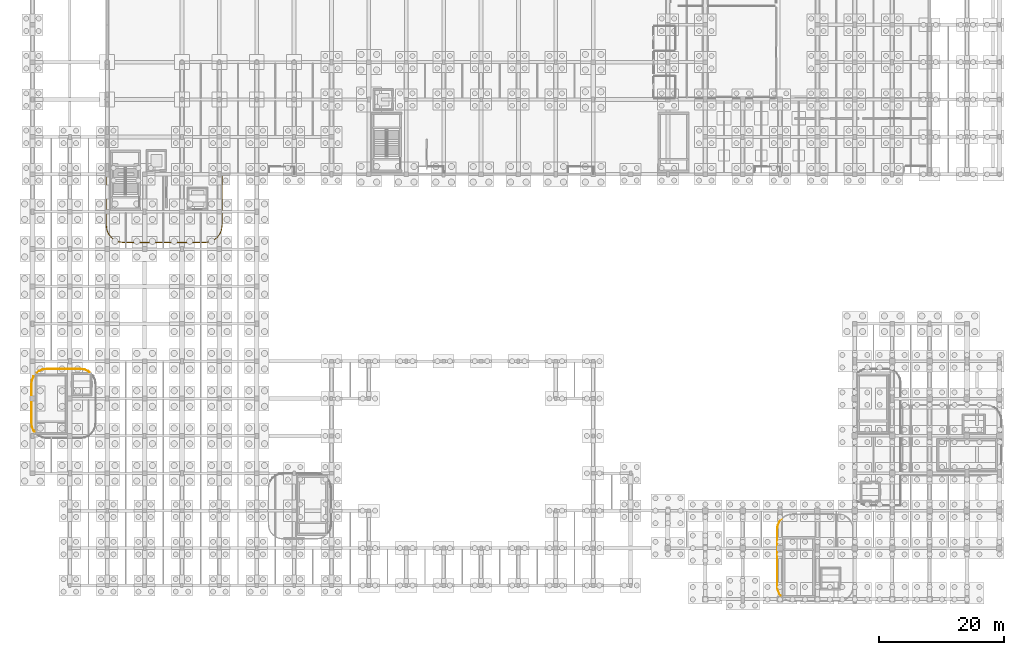
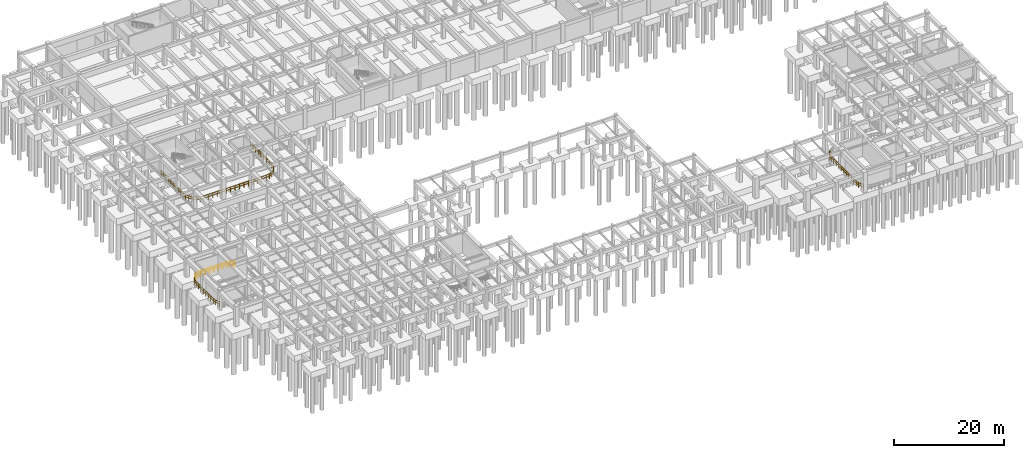
# One storey, part 24 of 32: 4 railings.
"""IFC4 building model written with IfcOpenShell, lengths in metres."""

from ifc_helpers import new_model, si_unit, direction, frame, origin, origin_2d, place, context, subcontext, project, spatial, circle, extrude, material, type_object, element, save


model = new_model("IFC4")

# Units and contexts
model_context = context("Model", 3, precision=1e-05, world=origin(), true_north=direction((0.0, 1.0)))
body_context = subcontext(model_context, "Body", "Model", "MODEL_VIEW")
ifc_project = project(units=[si_unit("LENGTHUNIT", "METRE"), si_unit("AREAUNIT", "SQUARE_METRE"), si_unit("VOLUMEUNIT", "CUBIC_METRE"), si_unit("PLANEANGLEUNIT", "RADIAN"), si_unit("MASSUNIT", "GRAM", prefix="KILO")], contexts=[model_context])

# Site, building, storey
site_placement = place(None, origin())
site = spatial("IfcSite", under=ifc_project, at=site_placement, CompositionType="ELEMENT")
building_placement = place(site_placement, origin())
building = spatial("IfcBuilding", under=site, at=building_placement, Name="Varnakota Square Police Headquarters", CompositionType="ELEMENT")
storey_placement = place(building_placement, frame((0.0, 0.0, -4.5)))
storey = spatial("IfcBuildingStorey", under=building, at=storey_placement, Name="B1", CompositionType="ELEMENT", Elevation=-4.5)

# Railings
ifc_material = material(Name="Galvanised Powder-Coated Steel Guardrail", Category="steel")
railing_type = type_object("IfcRailingType", Name="RL-BAL-1150", PredefinedType="BALUSTRADE", material=ifc_material)
railing_1_placement = place(storey_placement, frame((36.449951171875, 68.669921875, 0.0)))
element("IfcRailing", 1, at=railing_1_placement, inside=storey, type_object=railing_type, Name="Perimeter edge safety guard GD-AUTO-B1-010", PredefinedType="BALUSTRADE", context=body_context, shape_type="SweptSolid", body=[
    extrude(circle(Radius=0.02392578125, at=origin_2d()), frame((0.0, 0.0, 1.1259765625), z_axis=(0.0, -1.0, 0.0), x_axis=(1.0, 0.0, 0.0)), (0.0, 0.0, 1.0), 7.86669921875),
    extrude(circle(Radius=0.01806640625, at=origin_2d()), frame((0.0, 0.0, 0.63232421875), z_axis=(0.0, -1.0, 0.0), x_axis=(1.0, 0.0, 0.0)), (0.0, 0.0, 1.0), 7.86669921875),
    extrude(circle(Radius=0.02392578125, at=origin_2d()), frame((0.0, -7.86669921875, 1.1259765625), z_axis=(-0.130366919249, -0.991465817043, 0.0), x_axis=(0.991465817043, -0.130366919249, 0.0)), (0.0, 0.0, 1.0), 0.720947265625),
    extrude(circle(Radius=0.01806640625, at=origin_2d()), frame((0.0, -7.86669921875, 0.63232421875), z_axis=(-0.130366919249, -0.991465817043, 0.0), x_axis=(0.991465817043, -0.130366919249, 0.0)), (0.0, 0.0, 1.0), 0.720947265625),
    extrude(circle(Radius=0.02392578125, at=origin_2d()), frame((-0.093994140625, -8.58154296875, 1.1259765625), z_axis=(-0.382682260699, -0.92388001783, 0.0), x_axis=(0.92388001783, -0.382682260699, 0.0)), (0.0, 0.0, 1.0), 0.7177734375),
    extrude(circle(Radius=0.01806640625, at=origin_2d()), frame((-0.093994140625, -8.58154296875, 0.63232421875), z_axis=(-0.382682260699, -0.92388001783, 0.0), x_axis=(0.92388001783, -0.382682260699, 0.0)), (0.0, 0.0, 1.0), 0.7177734375),
    extrude(circle(Radius=0.02392578125, at=origin_2d()), frame((-0.36865234375, -9.24462890625, 1.1259765625), z_axis=(-0.608724214205, -0.793381894827, 0.0), x_axis=(0.793381894827, -0.608724214205, 0.0)), (0.0, 0.0, 1.0), 0.718017578125),
    extrude(circle(Radius=0.01806640625, at=origin_2d()), frame((-0.36865234375, -9.24462890625, 0.63232421875), z_axis=(-0.608724214205, -0.793381894827, 0.0), x_axis=(0.793381894827, -0.608724214205, 0.0)), (0.0, 0.0, 1.0), 0.718017578125),
    extrude(circle(Radius=0.02392578125, at=origin_2d()), frame((-0.8056640625, -9.814208984375, 1.1259765625), z_axis=(-0.793381894827, -0.608724214205, 0.0), x_axis=(0.608724214205, -0.793381894827, 0.0)), (0.0, 0.0, 1.0), 0.718017578125),
    extrude(circle(Radius=0.01806640625, at=origin_2d()), frame((-0.8056640625, -9.814208984375, 0.63232421875), z_axis=(-0.793381894827, -0.608724214205, 0.0), x_axis=(0.608724214205, -0.793381894827, 0.0)), (0.0, 0.0, 1.0), 0.718017578125),
    extrude(circle(Radius=0.02392578125, at=origin_2d()), frame((-1.375244140625, -10.251220703125, 1.1259765625), z_axis=(-0.92388001783, -0.382682260699, 0.0), x_axis=(0.382682260699, -0.92388001783, 0.0)), (0.0, 0.0, 1.0), 0.7177734375),
    extrude(circle(Radius=0.01806640625, at=origin_2d()), frame((-1.375244140625, -10.251220703125, 0.63232421875), z_axis=(-0.92388001783, -0.382682260699, 0.0), x_axis=(0.382682260699, -0.92388001783, 0.0)), (0.0, 0.0, 1.0), 0.7177734375),
    extrude(circle(Radius=0.02392578125, at=origin_2d()), frame((-2.038330078125, -10.52587890625, 1.1259765625), z_axis=(-0.991465817043, -0.130366919249, 0.0), x_axis=(0.130366919249, -0.991465817043, 0.0)), (0.0, 0.0, 1.0), 0.720947265625),
    extrude(circle(Radius=0.01806640625, at=origin_2d()), frame((-2.038330078125, -10.52587890625, 0.63232421875), z_axis=(-0.991465817043, -0.130366919249, 0.0), x_axis=(0.130366919249, -0.991465817043, 0.0)), (0.0, 0.0, 1.0), 0.720947265625),
    extrude(circle(Radius=0.02392578125, at=origin_2d()), frame((-2.753173828125, -10.619873046875, 1.1259765625), z_axis=(-1.0, 0.0, 0.0), x_axis=(0.0, -1.0, 0.0)), (0.0, 0.0, 1.0), 13.093505859375),
    extrude(circle(Radius=0.01806640625, at=origin_2d()), frame((-2.753173828125, -10.619873046875, 0.63232421875), z_axis=(-1.0, 0.0, 0.0), x_axis=(0.0, -1.0, 0.0)), (0.0, 0.0, 1.0), 13.093505859375),
    extrude(circle(Radius=0.02392578125, at=origin_2d()), frame((-15.8466796875, -10.619873046875, 1.1259765625), z_axis=(-0.991465817043, 0.130366919249, 0.0), x_axis=(-0.130366919249, -0.991465817043, 0.0)), (0.0, 0.0, 1.0), 0.720947265625),
    extrude(circle(Radius=0.01806640625, at=origin_2d()), frame((-15.8466796875, -10.619873046875, 0.63232421875), z_axis=(-0.991465817043, 0.130366919249, 0.0), x_axis=(-0.130366919249, -0.991465817043, 0.0)), (0.0, 0.0, 1.0), 0.720947265625),
    extrude(circle(Radius=0.02392578125, at=origin_2d()), frame((-16.5615234375, -10.52587890625, 1.1259765625), z_axis=(-0.923929809625, 0.382562030117, 0.0), x_axis=(-0.382562030117, -0.923929809625, 0.0)), (0.0, 0.0, 1.0), 0.718017578125),
    extrude(circle(Radius=0.01806640625, at=origin_2d()), frame((-16.5615234375, -10.52587890625, 0.63232421875), z_axis=(-0.923929809625, 0.382562030117, 0.0), x_axis=(-0.382562030117, -0.923929809625, 0.0)), (0.0, 0.0, 1.0), 0.718017578125),
    extrude(circle(Radius=0.02392578125, at=origin_2d()), frame((-17.224853515625, -10.251220703125, 1.1259765625), z_axis=(-0.793255832743, 0.608888482252, 0.0), x_axis=(-0.608888482252, -0.793255832743, 0.0)), (0.0, 0.0, 1.0), 0.7177734375),
    extrude(circle(Radius=0.01806640625, at=origin_2d()), frame((-17.224853515625, -10.251220703125, 0.63232421875), z_axis=(-0.793255832743, 0.608888482252, 0.0), x_axis=(-0.608888482252, -0.793255832743, 0.0)), (0.0, 0.0, 1.0), 0.7177734375),
    extrude(circle(Radius=0.02392578125, at=origin_2d()), frame((-17.794189453125, -9.814208984375, 1.1259765625), z_axis=(-0.608724214205, 0.793381894827, 0.0), x_axis=(-0.793381894827, -0.608724214205, 0.0)), (0.0, 0.0, 1.0), 0.718017578125),
    extrude(circle(Radius=0.01806640625, at=origin_2d()), frame((-17.794189453125, -9.814208984375, 0.63232421875), z_axis=(-0.608724214205, 0.793381894827, 0.0), x_axis=(-0.793381894827, -0.608724214205, 0.0)), (0.0, 0.0, 1.0), 0.718017578125),
    extrude(circle(Radius=0.02392578125, at=origin_2d()), frame((-18.231201171875, -9.24462890625, 1.1259765625), z_axis=(-0.382682260699, 0.92388001783, 0.0), x_axis=(-0.92388001783, -0.382682260699, 0.0)), (0.0, 0.0, 1.0), 0.7177734375),
    extrude(circle(Radius=0.01806640625, at=origin_2d()), frame((-18.231201171875, -9.24462890625, 0.63232421875), z_axis=(-0.382682260699, 0.92388001783, 0.0), x_axis=(-0.92388001783, -0.382682260699, 0.0)), (0.0, 0.0, 1.0), 0.7177734375),
    extrude(circle(Radius=0.02392578125, at=origin_2d()), frame((-18.505859375, -8.58154296875, 1.1259765625), z_axis=(-0.130366919249, 0.991465817043, 0.0), x_axis=(-0.991465817043, -0.130366919249, 0.0)), (0.0, 0.0, 1.0), 0.720947265625),
    extrude(circle(Radius=0.01806640625, at=origin_2d()), frame((-18.505859375, -8.58154296875, 0.63232421875), z_axis=(-0.130366919249, 0.991465817043, 0.0), x_axis=(-0.991465817043, -0.130366919249, 0.0)), (0.0, 0.0, 1.0), 0.720947265625),
    extrude(circle(Radius=0.02392578125, at=origin_2d()), frame((-18.599853515625, -7.86669921875, 1.1259765625), z_axis=(0.0, 1.0, 0.0), x_axis=(-1.0, 0.0, 0.0)), (0.0, 0.0, 1.0), 8.146728515625),
    extrude(circle(Radius=0.01806640625, at=origin_2d()), frame((-18.599853515625, -7.86669921875, 0.63232421875), z_axis=(0.0, 1.0, 0.0), x_axis=(-1.0, 0.0, 0.0)), (0.0, 0.0, 1.0), 8.146728515625),
    extrude(circle(Radius=0.02392578125, at=origin_2d()), frame((-18.599853515625, 0.280029296875, 1.1259765625), z_axis=(0.998094114346, 0.061710119973, 0.0), x_axis=(-0.061710119973, 0.998094114346, 0.0)), (0.0, 0.0, 1.0), 0.181884765625),
    extrude(circle(Radius=0.01806640625, at=origin_2d()), frame((-18.599853515625, 0.280029296875, 0.63232421875), z_axis=(0.998094114346, 0.061710119973, 0.0), x_axis=(-0.061710119973, 0.998094114346, 0.0)), (0.0, 0.0, 1.0), 0.181884765625),
    extrude(circle(Radius=0.02099609375, at=origin_2d()), origin(), (0.0, 0.0, 1.0), 1.101806640625),
    extrude(circle(Radius=0.02099609375, at=origin_2d()), frame((0.0, -0.9833984375, 0.0)), (0.0, 0.0, 1.0), 1.101806640625),
    extrude(circle(Radius=0.02099609375, at=origin_2d()), frame((0.0, -1.966796875, 0.0)), (0.0, 0.0, 1.0), 1.101806640625),
    extrude(circle(Radius=0.02099609375, at=origin_2d()), frame((0.0, -2.949951171875, 0.0)), (0.0, 0.0, 1.0), 1.101806640625),
    extrude(circle(Radius=0.02099609375, at=origin_2d()), frame((0.0, -3.933349609375, 0.0)), (0.0, 0.0, 1.0), 1.101806640625),
    extrude(circle(Radius=0.02099609375, at=origin_2d()), frame((0.0, -4.916748046875, 0.0)), (0.0, 0.0, 1.0), 1.101806640625),
    extrude(circle(Radius=0.02099609375, at=origin_2d()), frame((0.0, -5.89990234375, 0.0)), (0.0, 0.0, 1.0), 1.101806640625),
    extrude(circle(Radius=0.02099609375, at=origin_2d()), frame((0.0, -6.88330078125, 0.0)), (0.0, 0.0, 1.0), 1.101806640625),
    extrude(circle(Radius=0.02099609375, at=origin_2d()), frame((0.0, -7.86669921875, 0.0)), (0.0, 0.0, 1.0), 1.101806640625),
    extrude(circle(Radius=0.02099609375, at=origin_2d()), frame((-0.093994140625, -8.58154296875, 0.0)), (0.0, 0.0, 1.0), 1.101806640625),
    extrude(circle(Radius=0.02099609375, at=origin_2d()), frame((-0.36865234375, -9.24462890625, 0.0)), (0.0, 0.0, 1.0), 1.101806640625),
    extrude(circle(Radius=0.02099609375, at=origin_2d()), frame((-0.8056640625, -9.814208984375, 0.0)), (0.0, 0.0, 1.0), 1.101806640625),
    extrude(circle(Radius=0.02099609375, at=origin_2d()), frame((-1.375244140625, -10.251220703125, 0.0)), (0.0, 0.0, 1.0), 1.101806640625),
    extrude(circle(Radius=0.02099609375, at=origin_2d()), frame((-2.038330078125, -10.52587890625, 0.0)), (0.0, 0.0, 1.0), 1.101806640625),
    extrude(circle(Radius=0.02099609375, at=origin_2d()), frame((-2.753173828125, -10.619873046875, 0.0)), (0.0, 0.0, 1.0), 1.101806640625),
    extrude(circle(Radius=0.02099609375, at=origin_2d()), frame((-3.6884765625, -10.619873046875, 0.0)), (0.0, 0.0, 1.0), 1.101806640625),
    extrude(circle(Radius=0.02099609375, at=origin_2d()), frame((-4.623779296875, -10.619873046875, 0.0)), (0.0, 0.0, 1.0), 1.101806640625),
    extrude(circle(Radius=0.02099609375, at=origin_2d()), frame((-5.558837890625, -10.619873046875, 0.0)), (0.0, 0.0, 1.0), 1.101806640625),
    extrude(circle(Radius=0.02099609375, at=origin_2d()), frame((-6.494140625, -10.619873046875, 0.0)), (0.0, 0.0, 1.0), 1.101806640625),
    extrude(circle(Radius=0.02099609375, at=origin_2d()), frame((-7.429443359375, -10.619873046875, 0.0)), (0.0, 0.0, 1.0), 1.101806640625),
    extrude(circle(Radius=0.02099609375, at=origin_2d()), frame((-8.36474609375, -10.619873046875, 0.0)), (0.0, 0.0, 1.0), 1.101806640625),
    extrude(circle(Radius=0.02099609375, at=origin_2d()), frame((-9.2998046875, -10.619873046875, 0.0)), (0.0, 0.0, 1.0), 1.101806640625),
    extrude(circle(Radius=0.02099609375, at=origin_2d()), frame((-10.235107421875, -10.619873046875, 0.0)), (0.0, 0.0, 1.0), 1.101806640625),
    extrude(circle(Radius=0.02099609375, at=origin_2d()), frame((-11.17041015625, -10.619873046875, 0.0)), (0.0, 0.0, 1.0), 1.101806640625),
    extrude(circle(Radius=0.02099609375, at=origin_2d()), frame((-12.105712890625, -10.619873046875, 0.0)), (0.0, 0.0, 1.0), 1.101806640625),
    extrude(circle(Radius=0.02099609375, at=origin_2d()), frame((-13.041015625, -10.619873046875, 0.0)), (0.0, 0.0, 1.0), 1.101806640625),
    extrude(circle(Radius=0.02099609375, at=origin_2d()), frame((-13.97607421875, -10.619873046875, 0.0)), (0.0, 0.0, 1.0), 1.101806640625),
    extrude(circle(Radius=0.02099609375, at=origin_2d()), frame((-14.911376953125, -10.619873046875, 0.0)), (0.0, 0.0, 1.0), 1.101806640625),
    extrude(circle(Radius=0.02099609375, at=origin_2d()), frame((-15.8466796875, -10.619873046875, 0.0)), (0.0, 0.0, 1.0), 1.101806640625),
    extrude(circle(Radius=0.02099609375, at=origin_2d()), frame((-16.5615234375, -10.52587890625, 0.0)), (0.0, 0.0, 1.0), 1.101806640625),
    extrude(circle(Radius=0.02099609375, at=origin_2d()), frame((-17.224853515625, -10.251220703125, 0.0)), (0.0, 0.0, 1.0), 1.101806640625),
    extrude(circle(Radius=0.02099609375, at=origin_2d()), frame((-17.794189453125, -9.814208984375, 0.0)), (0.0, 0.0, 1.0), 1.101806640625),
    extrude(circle(Radius=0.02099609375, at=origin_2d()), frame((-18.231201171875, -9.24462890625, 0.0)), (0.0, 0.0, 1.0), 1.101806640625),
    extrude(circle(Radius=0.02099609375, at=origin_2d()), frame((-18.505859375, -8.58154296875, 0.0)), (0.0, 0.0, 1.0), 1.101806640625),
    extrude(circle(Radius=0.02099609375, at=origin_2d()), frame((-18.599853515625, -7.86669921875, 0.0)), (0.0, 0.0, 1.0), 1.101806640625),
    extrude(circle(Radius=0.02099609375, at=origin_2d()), frame((-18.599853515625, -6.96142578125, 0.0)), (0.0, 0.0, 1.0), 1.101806640625),
    extrude(circle(Radius=0.02099609375, at=origin_2d()), frame((-18.599853515625, -6.056396484375, 0.0)), (0.0, 0.0, 1.0), 1.101806640625),
    extrude(circle(Radius=0.02099609375, at=origin_2d()), frame((-18.599853515625, -5.151123046875, 0.0)), (0.0, 0.0, 1.0), 1.101806640625),
    extrude(circle(Radius=0.02099609375, at=origin_2d()), frame((-18.599853515625, -4.245849609375, 0.0)), (0.0, 0.0, 1.0), 1.101806640625),
    extrude(circle(Radius=0.02099609375, at=origin_2d()), frame((-18.599853515625, -3.3408203125, 0.0)), (0.0, 0.0, 1.0), 1.101806640625),
    extrude(circle(Radius=0.02099609375, at=origin_2d()), frame((-18.599853515625, -2.435546875, 0.0)), (0.0, 0.0, 1.0), 1.101806640625),
    extrude(circle(Radius=0.02099609375, at=origin_2d()), frame((-18.599853515625, -1.5302734375, 0.0)), (0.0, 0.0, 1.0), 1.101806640625),
    extrude(circle(Radius=0.02099609375, at=origin_2d()), frame((-18.599853515625, -0.625244140625, 0.0)), (0.0, 0.0, 1.0), 1.101806640625),
    extrude(circle(Radius=0.02099609375, at=origin_2d()), frame((-18.599853515625, 0.280029296875, 0.0)), (0.0, 0.0, 1.0), 1.101806640625),
    extrude(circle(Radius=0.02099609375, at=origin_2d()), frame((-18.418212890625, 0.291259765625, 0.0)), (0.0, 0.0, 1.0), 1.101806640625),
])
railing_2_placement = place(storey_placement, frame((126.127197265625, 1.351318359375, 0.0)))
element("IfcRailing", 2, at=railing_2_placement, inside=storey, type_object=railing_type, Name="Perimeter edge safety guard GD-AUTO-B1-016", PredefinedType="BALUSTRADE", context=body_context, shape_type="SweptSolid", body=[
    extrude(circle(Radius=0.02392578125, at=origin_2d()), frame((0.0, 0.0, 1.1259765625), z_axis=(-0.608670009796, 0.793423480353, 0.0), x_axis=(-0.793423480353, -0.608670009796, 0.0)), (0.0, 0.0, 1.0), 0.408203125),
    extrude(circle(Radius=0.01806640625, at=origin_2d()), frame((0.0, 0.0, 0.63232421875), z_axis=(-0.608670009796, 0.793423480353, 0.0), x_axis=(-0.793423480353, -0.608670009796, 0.0)), (0.0, 0.0, 1.0), 0.408203125),
    extrude(circle(Radius=0.02392578125, at=origin_2d()), frame((-0.24853515625, 0.323974609375, 1.1259765625), z_axis=(-0.382879958138, 0.92379810438, 0.0), x_axis=(-0.92379810438, -0.382879958138, 0.0)), (0.0, 0.0, 1.0), 0.6396484375),
    extrude(circle(Radius=0.01806640625, at=origin_2d()), frame((-0.24853515625, 0.323974609375, 0.63232421875), z_axis=(-0.382879958138, 0.92379810438, 0.0), x_axis=(-0.92379810438, -0.382879958138, 0.0)), (0.0, 0.0, 1.0), 0.6396484375),
    extrude(circle(Radius=0.02392578125, at=origin_2d()), frame((-0.493408203125, 0.914794921875, 1.1259765625), z_axis=(-0.130297285414, 0.991474970644, 0.0), x_axis=(-0.991474970644, -0.130297285414, 0.0)), (0.0, 0.0, 1.0), 0.642578125),
    extrude(circle(Radius=0.01806640625, at=origin_2d()), frame((-0.493408203125, 0.914794921875, 0.63232421875), z_axis=(-0.130297285414, 0.991474970644, 0.0), x_axis=(-0.991474970644, -0.130297285414, 0.0)), (0.0, 0.0, 1.0), 0.642578125),
    extrude(circle(Radius=0.02392578125, at=origin_2d()), frame((-0.5771484375, 1.552001953125, 1.1259765625), z_axis=(0.0, 1.0, 0.0), x_axis=(-1.0, 0.0, 0.0)), (0.0, 0.0, 1.0), 9.09326171875),
    extrude(circle(Radius=0.01806640625, at=origin_2d()), frame((-0.5771484375, 1.552001953125, 0.63232421875), z_axis=(0.0, 1.0, 0.0), x_axis=(-1.0, 0.0, 0.0)), (0.0, 0.0, 1.0), 9.09326171875),
    extrude(circle(Radius=0.02392578125, at=origin_2d()), frame((-0.5771484375, 10.645263671875, 1.1259765625), z_axis=(0.130297285414, 0.991474970644, 0.0), x_axis=(-0.991474970644, 0.130297285414, 0.0)), (0.0, 0.0, 1.0), 0.642578125),
    extrude(circle(Radius=0.01806640625, at=origin_2d()), frame((-0.5771484375, 10.645263671875, 0.63232421875), z_axis=(0.130297285414, 0.991474970644, 0.0), x_axis=(-0.991474970644, 0.130297285414, 0.0)), (0.0, 0.0, 1.0), 0.642578125),
    extrude(circle(Radius=0.02392578125, at=origin_2d()), frame((-0.493408203125, 11.282470703125, 1.1259765625), z_axis=(0.382744980625, 0.923854035985, 0.0), x_axis=(-0.923854035985, 0.382744980625, 0.0)), (0.0, 0.0, 1.0), 0.639892578125),
    extrude(circle(Radius=0.01806640625, at=origin_2d()), frame((-0.493408203125, 11.282470703125, 0.63232421875), z_axis=(0.382744980625, 0.923854035985, 0.0), x_axis=(-0.923854035985, 0.382744980625, 0.0)), (0.0, 0.0, 1.0), 0.639892578125),
    extrude(circle(Radius=0.02392578125, at=origin_2d()), frame((-0.24853515625, 11.87353515625, 1.1259765625), z_axis=(0.60863994033, 0.793446547056, 0.0), x_axis=(-0.793446547056, 0.60863994033, 0.0)), (0.0, 0.0, 1.0), 0.639404296875),
    extrude(circle(Radius=0.01806640625, at=origin_2d()), frame((-0.24853515625, 11.87353515625, 0.63232421875), z_axis=(0.60863994033, 0.793446547056, 0.0), x_axis=(-0.793446547056, 0.60863994033, 0.0)), (0.0, 0.0, 1.0), 0.639404296875),
    extrude(circle(Radius=0.02099609375, at=origin_2d()), origin(), (0.0, 0.0, 1.0), 1.101806640625),
    extrude(circle(Radius=0.02099609375, at=origin_2d()), frame((-0.24853515625, 0.323974609375, 0.0)), (0.0, 0.0, 1.0), 1.101806640625),
    extrude(circle(Radius=0.02099609375, at=origin_2d()), frame((-0.493408203125, 0.914794921875, 0.0)), (0.0, 0.0, 1.0), 1.101806640625),
    extrude(circle(Radius=0.02099609375, at=origin_2d()), frame((-0.5771484375, 1.552001953125, 0.0)), (0.0, 0.0, 1.0), 1.101806640625),
    extrude(circle(Radius=0.02099609375, at=origin_2d()), frame((-0.5771484375, 2.46142578125, 0.0)), (0.0, 0.0, 1.0), 1.101806640625),
    extrude(circle(Radius=0.02099609375, at=origin_2d()), frame((-0.5771484375, 3.37060546875, 0.0)), (0.0, 0.0, 1.0), 1.101806640625),
    extrude(circle(Radius=0.02099609375, at=origin_2d()), frame((-0.5771484375, 4.280029296875, 0.0)), (0.0, 0.0, 1.0), 1.101806640625),
    extrude(circle(Radius=0.02099609375, at=origin_2d()), frame((-0.5771484375, 5.189208984375, 0.0)), (0.0, 0.0, 1.0), 1.101806640625),
    extrude(circle(Radius=0.02099609375, at=origin_2d()), frame((-0.5771484375, 6.0986328125, 0.0)), (0.0, 0.0, 1.0), 1.101806640625),
    extrude(circle(Radius=0.02099609375, at=origin_2d()), frame((-0.5771484375, 7.008056640625, 0.0)), (0.0, 0.0, 1.0), 1.101806640625),
    extrude(circle(Radius=0.02099609375, at=origin_2d()), frame((-0.5771484375, 7.917236328125, 0.0)), (0.0, 0.0, 1.0), 1.101806640625),
    extrude(circle(Radius=0.02099609375, at=origin_2d()), frame((-0.5771484375, 8.82666015625, 0.0)), (0.0, 0.0, 1.0), 1.101806640625),
    extrude(circle(Radius=0.02099609375, at=origin_2d()), frame((-0.5771484375, 9.73583984375, 0.0)), (0.0, 0.0, 1.0), 1.101806640625),
    extrude(circle(Radius=0.02099609375, at=origin_2d()), frame((-0.5771484375, 10.645263671875, 0.0)), (0.0, 0.0, 1.0), 1.101806640625),
    extrude(circle(Radius=0.02099609375, at=origin_2d()), frame((-0.493408203125, 11.282470703125, 0.0)), (0.0, 0.0, 1.0), 1.101806640625),
    extrude(circle(Radius=0.02099609375, at=origin_2d()), frame((-0.24853515625, 11.87353515625, 0.0)), (0.0, 0.0, 1.0), 1.101806640625),
    extrude(circle(Radius=0.02099609375, at=origin_2d()), frame((0.140625, 12.380859375, 0.0)), (0.0, 0.0, 1.0), 1.101806640625),
])
railing_3_placement = place(storey_placement, frame((6.71728515625, 37.146728515625, 0.0)))
element("IfcRailing", 3, at=railing_3_placement, inside=storey, type_object=railing_type, Name="Perimeter edge safety guard GD-AUTO-B1-021", PredefinedType="BALUSTRADE", context=body_context, shape_type="SweptSolid", body=[
    extrude(circle(Radius=0.02392578125, at=origin_2d()), frame((0.0, 0.0, 1.1259765625), z_axis=(0.793327560575, 0.608795024316, 0.0), x_axis=(-0.608795024316, 0.793327560575, 0.0)), (0.0, 0.0, 1.0), 0.451171875),
    extrude(circle(Radius=0.01806640625, at=origin_2d()), frame((0.0, 0.0, 0.63232421875), z_axis=(0.793327560575, 0.608795024316, 0.0), x_axis=(-0.608795024316, 0.793327560575, 0.0)), (0.0, 0.0, 1.0), 0.451171875),
    extrude(circle(Radius=0.02392578125, at=origin_2d()), frame((0.35791015625, 0.274658203125, 1.1259765625), z_axis=(0.923933087676, 0.382554113162, 0.0), x_axis=(-0.382554113162, 0.923933087676, 0.0)), (0.0, 0.0, 1.0), 0.639404296875),
    extrude(circle(Radius=0.01806640625, at=origin_2d()), frame((0.35791015625, 0.274658203125, 0.63232421875), z_axis=(0.923933087676, 0.382554113162, 0.0), x_axis=(-0.382554113162, 0.923933087676, 0.0)), (0.0, 0.0, 1.0), 0.639404296875),
    extrude(circle(Radius=0.02392578125, at=origin_2d()), frame((0.94873046875, 0.519287109375, 1.1259765625), z_axis=(0.991425827979, 0.130670683841, 0.0), x_axis=(-0.130670683841, 0.991425827979, 0.0)), (0.0, 0.0, 1.0), 0.642822265625),
    extrude(circle(Radius=0.01806640625, at=origin_2d()), frame((0.94873046875, 0.519287109375, 0.63232421875), z_axis=(0.991425827979, 0.130670683841, 0.0), x_axis=(-0.130670683841, 0.991425827979, 0.0)), (0.0, 0.0, 1.0), 0.642822265625),
    extrude(circle(Radius=0.02392578125, at=origin_2d()), frame((1.5859375, 0.603271484375, 1.1259765625), z_axis=(1.0, 0.0, 0.0), x_axis=(0.0, 1.0, 0.0)), (0.0, 0.0, 1.0), 5.3935546875),
    extrude(circle(Radius=0.01806640625, at=origin_2d()), frame((1.5859375, 0.603271484375, 0.63232421875), z_axis=(1.0, 0.0, 0.0), x_axis=(0.0, 1.0, 0.0)), (0.0, 0.0, 1.0), 5.3935546875),
    extrude(circle(Radius=0.02392578125, at=origin_2d()), frame((6.9794921875, 0.603271484375, 1.1259765625), z_axis=(0.991425827979, -0.130670683841, 0.0), x_axis=(0.130670683841, 0.991425827979, 0.0)), (0.0, 0.0, 1.0), 0.642822265625),
    extrude(circle(Radius=0.01806640625, at=origin_2d()), frame((6.9794921875, 0.603271484375, 0.63232421875), z_axis=(0.991425827979, -0.130670683841, 0.0), x_axis=(0.130670683841, 0.991425827979, 0.0)), (0.0, 0.0, 1.0), 0.642822265625),
    extrude(circle(Radius=0.02392578125, at=origin_2d()), frame((7.61669921875, 0.519287109375, 1.1259765625), z_axis=(0.923933087676, -0.382554113162, 0.0), x_axis=(0.382554113162, 0.923933087676, 0.0)), (0.0, 0.0, 1.0), 0.639404296875),
    extrude(circle(Radius=0.01806640625, at=origin_2d()), frame((7.61669921875, 0.519287109375, 0.63232421875), z_axis=(0.923933087676, -0.382554113162, 0.0), x_axis=(0.382554113162, 0.923933087676, 0.0)), (0.0, 0.0, 1.0), 0.639404296875),
    extrude(circle(Radius=0.02392578125, at=origin_2d()), frame((8.20751953125, 0.274658203125, 1.1259765625), z_axis=(0.793547089422, -0.608508846993, 0.0), x_axis=(0.608508846993, 0.793547089422, 0.0)), (0.0, 0.0, 1.0), 0.26513671875),
    extrude(circle(Radius=0.01806640625, at=origin_2d()), frame((8.20751953125, 0.274658203125, 0.63232421875), z_axis=(0.793547089422, -0.608508846993, 0.0), x_axis=(0.608508846993, 0.793547089422, 0.0)), (0.0, 0.0, 1.0), 0.26513671875),
    extrude(circle(Radius=0.02099609375, at=origin_2d()), origin(), (0.0, 0.0, 1.0), 1.101806640625),
    extrude(circle(Radius=0.02099609375, at=origin_2d()), frame((0.35791015625, 0.274658203125, 0.0)), (0.0, 0.0, 1.0), 1.101806640625),
    extrude(circle(Radius=0.02099609375, at=origin_2d()), frame((0.94873046875, 0.519287109375, 0.0)), (0.0, 0.0, 1.0), 1.101806640625),
    extrude(circle(Radius=0.02099609375, at=origin_2d()), frame((1.5859375, 0.603271484375, 0.0)), (0.0, 0.0, 1.0), 1.101806640625),
    extrude(circle(Radius=0.02099609375, at=origin_2d()), frame((2.48486328125, 0.603271484375, 0.0)), (0.0, 0.0, 1.0), 1.101806640625),
    extrude(circle(Radius=0.02099609375, at=origin_2d()), frame((3.3837890625, 0.603271484375, 0.0)), (0.0, 0.0, 1.0), 1.101806640625),
    extrude(circle(Radius=0.02099609375, at=origin_2d()), frame((4.28271484375, 0.603271484375, 0.0)), (0.0, 0.0, 1.0), 1.101806640625),
    extrude(circle(Radius=0.02099609375, at=origin_2d()), frame((5.181640625, 0.603271484375, 0.0)), (0.0, 0.0, 1.0), 1.101806640625),
    extrude(circle(Radius=0.02099609375, at=origin_2d()), frame((6.08056640625, 0.603271484375, 0.0)), (0.0, 0.0, 1.0), 1.101806640625),
    extrude(circle(Radius=0.02099609375, at=origin_2d()), frame((6.9794921875, 0.603271484375, 0.0)), (0.0, 0.0, 1.0), 1.101806640625),
    extrude(circle(Radius=0.02099609375, at=origin_2d()), frame((7.61669921875, 0.519287109375, 0.0)), (0.0, 0.0, 1.0), 1.101806640625),
    extrude(circle(Radius=0.02099609375, at=origin_2d()), frame((8.20751953125, 0.274658203125, 0.0)), (0.0, 0.0, 1.0), 1.101806640625),
    extrude(circle(Radius=0.02099609375, at=origin_2d()), frame((8.41796875, 0.11328125, 0.0)), (0.0, 0.0, 1.0), 1.101806640625),
])
railing_4_placement = place(storey_placement, frame((6.340087890625, 27.664794921875, 0.0)))
element("IfcRailing", 4, at=railing_4_placement, inside=storey, type_object=railing_type, Name="Perimeter edge safety guard GD-AUTO-B1-023", PredefinedType="BALUSTRADE", context=body_context, shape_type="SweptSolid", body=[
    extrude(circle(Radius=0.02392578125, at=origin_2d()), frame((0.0, 0.0, 1.1259765625), z_axis=(-0.608508846993, 0.793547089422, 0.0), x_axis=(-0.793547089422, -0.608508846993, 0.0)), (0.0, 0.0, 1.0), 0.26513671875),
    extrude(circle(Radius=0.01806640625, at=origin_2d()), frame((0.0, 0.0, 0.63232421875), z_axis=(-0.608508846993, 0.793547089422, 0.0), x_axis=(-0.793547089422, -0.608508846993, 0.0)), (0.0, 0.0, 1.0), 0.26513671875),
    extrude(circle(Radius=0.02392578125, at=origin_2d()), frame((-0.161376953125, 0.21044921875, 1.1259765625), z_axis=(-0.382879958138, 0.92379810438, 0.0), x_axis=(-0.92379810438, -0.382879958138, 0.0)), (0.0, 0.0, 1.0), 0.6396484375),
    extrude(circle(Radius=0.01806640625, at=origin_2d()), frame((-0.161376953125, 0.21044921875, 0.63232421875), z_axis=(-0.382879958138, 0.92379810438, 0.0), x_axis=(-0.92379810438, -0.382879958138, 0.0)), (0.0, 0.0, 1.0), 0.6396484375),
    extrude(circle(Radius=0.02392578125, at=origin_2d()), frame((-0.40625, 0.80126953125, 1.1259765625), z_axis=(-0.130297285414, 0.991474970644, 0.0), x_axis=(-0.991474970644, -0.130297285414, 0.0)), (0.0, 0.0, 1.0), 0.642578125),
    extrude(circle(Radius=0.01806640625, at=origin_2d()), frame((-0.40625, 0.80126953125, 0.63232421875), z_axis=(-0.130297285414, 0.991474970644, 0.0), x_axis=(-0.991474970644, -0.130297285414, 0.0)), (0.0, 0.0, 1.0), 0.642578125),
    extrude(circle(Radius=0.02392578125, at=origin_2d()), frame((-0.489990234375, 1.4384765625, 1.1259765625), z_axis=(0.0, 1.0, 0.0), x_axis=(-1.0, 0.0, 0.0)), (0.0, 0.0, 1.0), 6.193359375),
    extrude(circle(Radius=0.01806640625, at=origin_2d()), frame((-0.489990234375, 1.4384765625, 0.63232421875), z_axis=(0.0, 1.0, 0.0), x_axis=(-1.0, 0.0, 0.0)), (0.0, 0.0, 1.0), 6.193359375),
    extrude(circle(Radius=0.02392578125, at=origin_2d()), frame((-0.489990234375, 7.6318359375, 1.1259765625), z_axis=(0.130297285414, 0.991474970644, 0.0), x_axis=(-0.991474970644, 0.130297285414, 0.0)), (0.0, 0.0, 1.0), 0.642578125),
    extrude(circle(Radius=0.01806640625, at=origin_2d()), frame((-0.489990234375, 7.6318359375, 0.63232421875), z_axis=(0.130297285414, 0.991474970644, 0.0), x_axis=(-0.991474970644, 0.130297285414, 0.0)), (0.0, 0.0, 1.0), 0.642578125),
    extrude(circle(Radius=0.02392578125, at=origin_2d()), frame((-0.40625, 8.26904296875, 1.1259765625), z_axis=(0.382744980625, 0.923854035985, 0.0), x_axis=(-0.923854035985, 0.382744980625, 0.0)), (0.0, 0.0, 1.0), 0.639892578125),
    extrude(circle(Radius=0.01806640625, at=origin_2d()), frame((-0.40625, 8.26904296875, 0.63232421875), z_axis=(0.382744980625, 0.923854035985, 0.0), x_axis=(-0.923854035985, 0.382744980625, 0.0)), (0.0, 0.0, 1.0), 0.639892578125),
    extrude(circle(Radius=0.02099609375, at=origin_2d()), origin(), (0.0, 0.0, 1.0), 1.101806640625),
    extrude(circle(Radius=0.02099609375, at=origin_2d()), frame((-0.161376953125, 0.21044921875, 0.0)), (0.0, 0.0, 1.0), 1.101806640625),
    extrude(circle(Radius=0.02099609375, at=origin_2d()), frame((-0.40625, 0.80126953125, 0.0)), (0.0, 0.0, 1.0), 1.101806640625),
    extrude(circle(Radius=0.02099609375, at=origin_2d()), frame((-0.489990234375, 1.4384765625, 0.0)), (0.0, 0.0, 1.0), 1.101806640625),
    extrude(circle(Radius=0.02099609375, at=origin_2d()), frame((-0.489990234375, 2.3232421875, 0.0)), (0.0, 0.0, 1.0), 1.101806640625),
    extrude(circle(Radius=0.02099609375, at=origin_2d()), frame((-0.489990234375, 3.2080078125, 0.0)), (0.0, 0.0, 1.0), 1.101806640625),
    extrude(circle(Radius=0.02099609375, at=origin_2d()), frame((-0.489990234375, 4.0927734375, 0.0)), (0.0, 0.0, 1.0), 1.101806640625),
    extrude(circle(Radius=0.02099609375, at=origin_2d()), frame((-0.489990234375, 4.9775390625, 0.0)), (0.0, 0.0, 1.0), 1.101806640625),
    extrude(circle(Radius=0.02099609375, at=origin_2d()), frame((-0.489990234375, 5.8623046875, 0.0)), (0.0, 0.0, 1.0), 1.101806640625),
    extrude(circle(Radius=0.02099609375, at=origin_2d()), frame((-0.489990234375, 6.7470703125, 0.0)), (0.0, 0.0, 1.0), 1.101806640625),
    extrude(circle(Radius=0.02099609375, at=origin_2d()), frame((-0.489990234375, 7.6318359375, 0.0)), (0.0, 0.0, 1.0), 1.101806640625),
    extrude(circle(Radius=0.02099609375, at=origin_2d()), frame((-0.40625, 8.26904296875, 0.0)), (0.0, 0.0, 1.0), 1.101806640625),
    extrude(circle(Radius=0.02099609375, at=origin_2d()), frame((-0.161376953125, 8.860107421875, 0.0)), (0.0, 0.0, 1.0), 1.101806640625),
])

save(model, "model.ifc")
